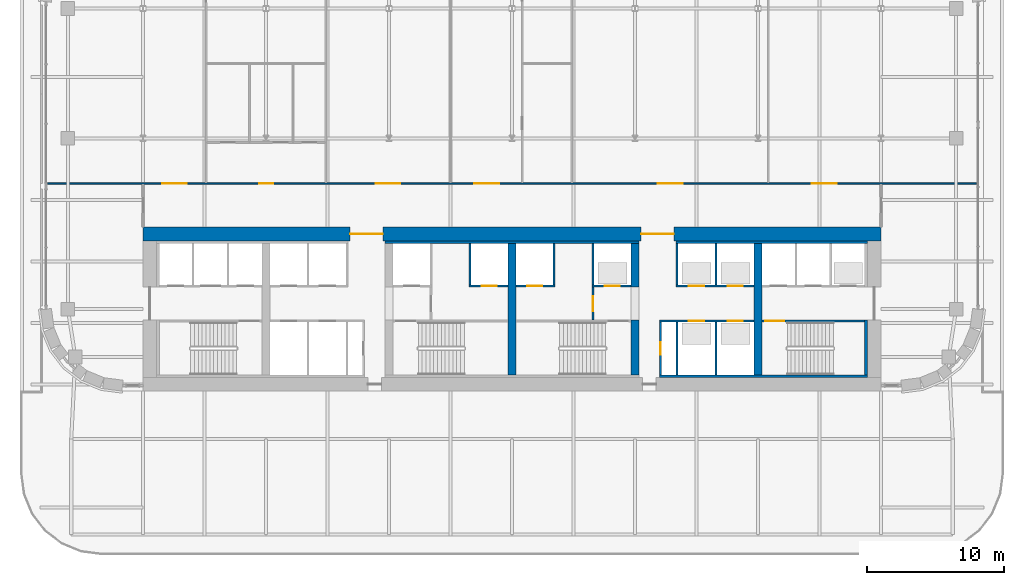
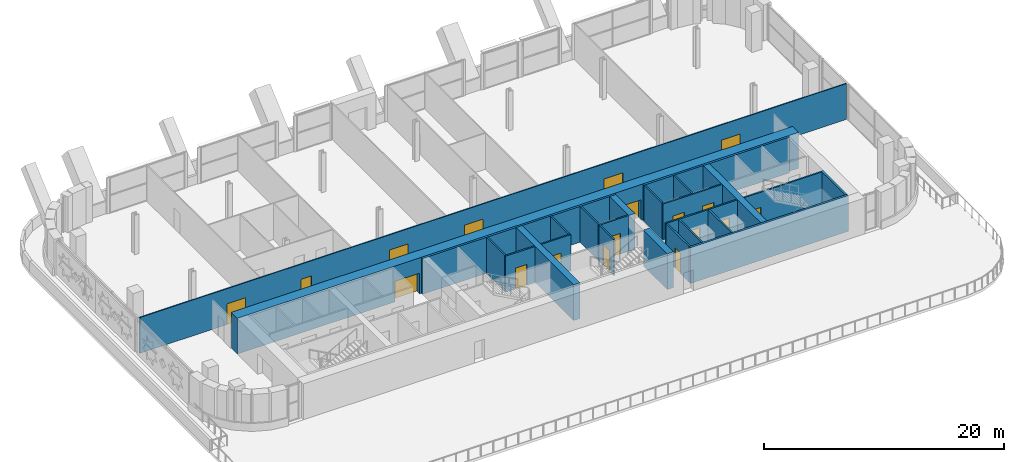
# One storey, part 16 of 26: 25 walls, 18 doors, 18 openings.
"""IFC4 building model written with IfcOpenShell, lengths in metres."""

from ifc_helpers import new_model, si_unit, direction, frame, frame_2d, origin, place, context, subcontext, project, spatial, rectangle, extrude, material, layer, layer_set, type_object, element, fill, save


model = new_model("IFC4")

# Units and contexts
model_context = context("Model", 3, precision=1e-05, world=origin(), true_north=direction((0.0, 1.0)))
body_context = subcontext(model_context, "Body", "Model", "MODEL_VIEW")
ifc_project = project(units=[si_unit("LENGTHUNIT", "METRE"), si_unit("AREAUNIT", "SQUARE_METRE"), si_unit("VOLUMEUNIT", "CUBIC_METRE"), si_unit("PLANEANGLEUNIT", "RADIAN"), si_unit("MASSUNIT", "GRAM", prefix="KILO")], contexts=[model_context])

# Site, building, storey
site_placement = place(None, origin())
site = spatial("IfcSite", under=ifc_project, at=site_placement, CompositionType="ELEMENT")
building_placement = place(site_placement, origin())
building = spatial("IfcBuilding", under=site, at=building_placement, Name="Zellij Exchange Tower", CompositionType="ELEMENT")
storey_placement = place(building_placement, frame((0.0, 0.0, 156.5)))
storey = spatial("IfcBuildingStorey", under=building, at=storey_placement, Name="L35", CompositionType="ELEMENT", Elevation=156.5)

# Walls
ifc_material_1 = material(Name="Concrete C70/85", Category="concrete")
ifc_layer_1 = layer(ifc_material_1, 0.60009765625)
ifc_layer_set_1 = layer_set([ifc_layer_1], Name="Concrete C70/85")
wall_type_1 = type_object("IfcWallType", Name="CORE-CW 600 C70/85", PredefinedType="SHEAR", material=ifc_layer_set_1)
wall_1_placement = place(storey_placement, frame((0.0, -12.800048828125, 0.0), z_axis=(0.0, 0.0, 1.0), x_axis=(0.0, 1.0, 0.0)))
element("IfcWall", 1, at=wall_1_placement, inside=storey, type_object=wall_type_1, Name="Core cross wall x 0 L35", PredefinedType="SHEAR", context=body_context, shape_type="SweptSolid", body=[
    extrude(rectangle(XDim=9.60009765625, YDim=0.60009765625, at=frame_2d((4.800048828125, 0.0))), origin(), (0.0, 0.0, 1.0), 3.64990234375),
])
wall_2_placement = place(storey_placement, frame((9.0, -12.800048828125, 0.0), z_axis=(0.0, 0.0, 1.0), x_axis=(0.0, 1.0, 0.0)))
element("IfcWall", 2, at=wall_2_placement, inside=storey, type_object=wall_type_1, Name="Core cross wall pier x 9 a L35", PredefinedType="SHEAR", context=body_context, shape_type="SweptSolid", body=[
    extrude(rectangle(XDim=4.0, YDim=0.60009765625, at=frame_2d((2.0, 0.0))), origin(), (0.0, 0.0, 1.0), 3.64990234375),
])
wall_3_placement = place(storey_placement, frame((9.0, -6.375, 0.0), z_axis=(0.0, 0.0, 1.0), x_axis=(0.0, 1.0, 0.0)))
element("IfcWall", 3, at=wall_3_placement, inside=storey, type_object=wall_type_1, Name="Core cross wall pier x 9 b L35", PredefinedType="SHEAR", context=body_context, shape_type="SweptSolid", body=[
    extrude(rectangle(XDim=3.175048828125, YDim=0.60009765625, at=frame_2d((1.58740234375, 0.0))), origin(), (0.0, 0.0, 1.0), 3.64990234375),
])
wall_4_placement = place(storey_placement, frame((18.0, -12.800048828125, 0.0), z_axis=(0.0, 0.0, 1.0), x_axis=(0.0, 1.0, 0.0)))
element("IfcWall", 4, at=wall_4_placement, inside=storey, type_object=wall_type_1, Name="Core cross wall x 18 L35", PredefinedType="SHEAR", context=body_context, shape_type="SweptSolid", body=[
    extrude(rectangle(XDim=9.60009765625, YDim=0.60009765625, at=frame_2d((4.800048828125, 0.0))), origin(), (0.0, 0.0, 1.0), 3.64990234375),
])
ifc_material_2 = material(Name="Concrete C30/37", Category="concrete")
ifc_layer_2 = layer(ifc_material_2, 0.199951171875)
ifc_layer_set_2 = layer_set([ifc_layer_2], Name="Concrete C30/37")
wall_type_2 = type_object("IfcWallType", Name="CORE-LW 200 C30/37", PredefinedType="SHEAR", material=ifc_layer_set_2)
wall_5_placement = place(storey_placement, frame((-9.300048828125, -3.10009765625, 0.0), z_axis=(0.0, 0.0, 1.0), x_axis=(1.0, 0.0, 0.0)))
element("IfcWall", 5, at=wall_5_placement, inside=storey, type_object=wall_type_2, Name="Core wall lining front.1 L35", PredefinedType="SHEAR", context=body_context, shape_type="SweptSolid", body=[
    extrude(rectangle(XDim=18.60009765625, YDim=0.199951171875, at=frame_2d((9.300048828125, 0.0))), origin(), (0.0, 0.0, 1.0), 3.64990234375),
])
wall_6_placement = place(storey_placement, frame((12.0, -3.10009765625, 0.0), z_axis=(0.0, 0.0, 1.0), x_axis=(1.0, 0.0, 0.0)))
element("IfcWall", 6, at=wall_6_placement, inside=storey, type_object=wall_type_2, Name="Core wall lining front.2 L35", PredefinedType="SHEAR", context=body_context, shape_type="SweptSolid", body=[
    extrude(rectangle(XDim=14.0, YDim=0.199951171875, at=frame_2d((7.0, 0.0))), origin(), (0.0, 0.0, 1.0), 3.64990234375),
])
wall_7_placement = place(storey_placement, frame((10.800048828125, -12.89990234375, 0.0), z_axis=(0.0, 0.0, 1.0), x_axis=(1.0, 0.0, 0.0)))
element("IfcWall", 7, at=wall_7_placement, inside=storey, type_object=wall_type_2, Name="Core wall lining rear.2 L35", PredefinedType="SHEAR", context=body_context, shape_type="SweptSolid", body=[
    extrude(rectangle(XDim=15.199951171875, YDim=0.199951171875, at=frame_2d((7.60009765625, 0.0))), origin(), (0.0, 0.0, 1.0), 3.64990234375),
])
wall_8_placement = place(storey_placement, frame((25.89990234375, -12.800048828125, 0.0), z_axis=(0.0, 0.0, 1.0), x_axis=(0.0, 1.0, 0.0)))
element("IfcWall", 8, at=wall_8_placement, inside=storey, type_object=wall_type_2, Name="Core wall lining end e.0 L35", PredefinedType="SHEAR", context=body_context, shape_type="SweptSolid", body=[
    extrude(rectangle(XDim=4.0, YDim=0.199951171875, at=frame_2d((2.0, 0.0))), origin(), (0.0, 0.0, 1.0), 3.64990234375),
])

# Wall, opening, door
ifc_material_3 = material(Name="Gypsum shaft wall system")
ifc_layer_3 = layer(ifc_material_3, 0.14990234375)
ifc_layer_set_3 = layer_set([ifc_layer_3], Name="Gypsum shaft wall system")
wall_type_3 = type_object("IfcWallType", Name="CORE-PW 150 Firefighting lobby wall", PredefinedType="PARTITIONING", material=ifc_layer_set_3)
wall_9_placement = place(storey_placement, frame((5.925048828125, -8.800048828125, 0.0), z_axis=(0.0, 0.0, 1.0), x_axis=(0.0, 1.0, 0.0)))
wall_9 = element("IfcWall", 9, at=wall_9_placement, inside=storey, type_object=wall_type_3, Name="Firefighting lobby wall L35", PredefinedType="PARTITIONING", context=body_context, shape_type="SweptSolid", body=[
    extrude(rectangle(XDim=2.425048828125, YDim=0.14990234375, at=frame_2d((1.21240234375, 0.0))), origin(), (0.0, 0.0, 1.0), 3.64990234375),
])
opening_1_placement = place(wall_9_placement, frame((0.662109375, 0.0, 0.0)))
opening_1 = element("IfcOpeningElement", 10, at=opening_1_placement, cuts=wall_9, Name="Opening CA-19.18", PredefinedType="OPENING", context=body_context, shape_type="SweptSolid", body=[
    extrude(rectangle(XDim=1.10009765625, YDim=2.10009765625, at=frame_2d((0.550048828125, 1.050048828125))), frame((0.0, 0.0869140625, 0.0), z_axis=(0.0, -1.0, 0.0), x_axis=(1.0, 0.0, 0.0)), (0.0, 0.0, 1.0), 0.173828125),
])
ifc_material_4 = material(Name="Hollow metal fire door")
door_type_1 = type_object("IfcDoorType", Name="CORE-D F Firefighting lobby door 1100x2100 1 HR", OperationType="NOTDEFINED", PredefinedType="DOOR", material=ifc_material_4)
door_1_placement = place(opening_1_placement, origin())
door_1 = element("IfcDoor", 11, at=door_1_placement, inside=storey, type_object=door_type_1, Name="Firefighting lobby door CA-19.18", OperationType="SINGLE_SWING_RIGHT", OverallHeight=2.10009765625, OverallWidth=1.10009765625, PredefinedType="DOOR", context=body_context, shape_type="SweptSolid", body=[
    extrude(rectangle(XDim=1.10009765625, YDim=2.10009765625, at=frame_2d((0.550048828125, 1.050048828125))), frame((0.0, 0.02490234375, 0.0), z_axis=(0.0, -1.0, 0.0), x_axis=(1.0, 0.0, 0.0)), (0.0, 0.0, 1.0), 0.050048828125),
])
fill(opening_1, door_1)

ifc_material_5 = material(Name="Gypsum board partition")
ifc_layer_4 = layer(ifc_material_5, 0.14990234375)
ifc_layer_set_4 = layer_set([ifc_layer_4], Name="Gypsum board partition")
wall_type_4 = type_object("IfcWallType", Name="CORE-PW 150 Lift lobby wall", PredefinedType="PARTITIONING", material=ifc_layer_set_4)
wall_10_placement = place(storey_placement, frame((10.875, -12.800048828125, 0.0), z_axis=(0.0, 0.0, 1.0), x_axis=(0.0, 1.0, 0.0)))
wall_10 = element("IfcWall", 12, at=wall_10_placement, inside=storey, type_object=wall_type_4, Name="Lift lobby wall L35", PredefinedType="PARTITIONING", context=body_context, shape_type="SweptSolid", body=[
    extrude(rectangle(XDim=3.85009765625, YDim=0.14990234375, at=frame_2d((1.925048828125, 0.0))), origin(), (0.0, 0.0, 1.0), 3.64990234375),
])
opening_2_placement = place(wall_10_placement, frame((1.47509765625, 0.0, 0.0)))
opening_2 = element("IfcOpeningElement", 13, at=opening_2_placement, cuts=wall_10, Name="Opening CA-19.23", PredefinedType="OPENING", context=body_context, shape_type="SweptSolid", body=[
    extrude(rectangle(XDim=0.89990234375, YDim=2.10009765625, at=frame_2d((0.449951171875, 1.050048828125))), frame((0.0, 0.0869140625, 0.0), z_axis=(0.0, -1.0, 0.0), x_axis=(1.0, 0.0, 0.0)), (0.0, 0.0, 1.0), 0.173828125),
])
door_type_2 = type_object("IfcDoorType", Name="CORE-D RD Riser door 900x2100 1.5 HR", OperationType="NOTDEFINED", PredefinedType="DOOR", material=ifc_material_4)
door_2_placement = place(opening_2_placement, origin())
door_2 = element("IfcDoor", 14, at=door_2_placement, inside=storey, type_object=door_type_2, Name="Riser door CA-19.23", OperationType="SINGLE_SWING_LEFT", OverallHeight=2.10009765625, OverallWidth=0.89990234375, PredefinedType="DOOR", context=body_context, shape_type="SweptSolid", body=[
    extrude(rectangle(XDim=0.89990234375, YDim=2.10009765625, at=frame_2d((0.449951171875, 1.050048828125))), frame((0.0, 0.02490234375, 0.0), z_axis=(0.0, -1.0, 0.0), x_axis=(1.0, 0.0, 0.0)), (0.0, 0.0, 1.0), 0.050048828125),
])
fill(opening_2, door_2)

# Walls
ifc_layer_5 = layer(ifc_material_3, 0.14990234375)
ifc_layer_set_5 = layer_set([ifc_layer_5], Name="Gypsum shaft wall system")
wall_type_5 = type_object("IfcWallType", Name="CORE-PW 150 Lift shaft wall", PredefinedType="PARTITIONING", material=ifc_layer_set_5)
for number, where, z_axis, x_axis, name in (
    (15, (-3.074951171875, -6.22509765625, 0.0), (0.0, 0.0, 1.0), (0.0, 1.0, 0.0), "Lift shaft wall L35"),
    (16, (3.074951171875, -6.22509765625, 0.0), (0.0, 0.0, 1.0), (0.0, 1.0, 0.0), "Lift shaft wall L35"),
    (17, (5.925048828125, -6.22509765625, 0.0), (0.0, 0.0, 1.0), (0.0, 1.0, 0.0), "Lift shaft wall L35"),
    (18, (12.074951171875, -6.22509765625, 0.0), (0.0, 0.0, 1.0), (0.0, 1.0, 0.0), "Lift shaft wall L35"),
    (19, (14.925048828125, -6.22509765625, 0.0), (0.0, 0.0, 1.0), (0.0, 1.0, 0.0), "Lift shaft wall L35"),
):
    element("IfcWall", number, at=place(storey_placement, frame(where, z_axis=z_axis, x_axis=x_axis)), inside=storey, type_object=wall_type_5, Name=name, PredefinedType="PARTITIONING", context=body_context, shape_type="SweptSolid", body=[
        extrude(rectangle(XDim=3.025146484375, YDim=0.14990234375, at=frame_2d((1.5126953125, 0.0))), origin(), (0.0, 0.0, 1.0), 3.64990234375),
    ])
for number, where, z_axis, x_axis, name in (
    (20, (12.074951171875, -12.800048828125, 0.0), (0.0, 0.0, 1.0), (0.0, 1.0, 0.0), "Lift shaft wall L35"),
    (21, (14.925048828125, -12.800048828125, 0.0), (0.0, 0.0, 1.0), (0.0, 1.0, 0.0), "Lift shaft wall L35"),
):
    element("IfcWall", number, at=place(storey_placement, frame(where, z_axis=z_axis, x_axis=x_axis)), inside=storey, type_object=wall_type_5, Name=name, PredefinedType="PARTITIONING", context=body_context, shape_type="SweptSolid", body=[
        extrude(rectangle(XDim=3.85009765625, YDim=0.14990234375, at=frame_2d((1.925048828125, 0.0))), origin(), (0.0, 0.0, 1.0), 3.64990234375),
    ])

# Wall, opening, door
wall_11_placement = place(storey_placement, frame((-3.14990234375, -6.300048828125, 0.0), z_axis=(0.0, 0.0, 1.0), x_axis=(1.0, 0.0, 0.0)))
wall_11 = element("IfcWall", 22, at=wall_11_placement, inside=storey, type_object=wall_type_5, Name="Lift shaft wall L35", PredefinedType="PARTITIONING", context=body_context, shape_type="SweptSolid", body=[
    extrude(rectangle(XDim=2.849853515625, YDim=0.14990234375, at=frame_2d((1.4248046875, 0.0))), origin(), (0.0, 0.0, 1.0), 3.64990234375),
])
opening_3_placement = place(wall_11_placement, frame((0.949951171875, 0.0, 0.0)))
opening_3 = element("IfcOpeningElement", 23, at=opening_3_placement, cuts=wall_11, Name="Opening CA-19.16", PredefinedType="OPENING", context=body_context, shape_type="SweptSolid", body=[
    extrude(rectangle(XDim=1.10009765625, YDim=2.10009765625, at=frame_2d((0.550048828125, 1.050048828125))), frame((0.0, 0.0869140625, 0.0), z_axis=(0.0, -1.0, 0.0), x_axis=(1.0, 0.0, 0.0)), (0.0, 0.0, 1.0), 0.173828125),
])
door_type_3 = type_object("IfcDoorType", Name="CORE-D LD Lift landing door 1100x2100 1.5 HR", OperationType="NOTDEFINED", PredefinedType="DOOR", material=ifc_material_4)
door_3_placement = place(opening_3_placement, origin())
door_3 = element("IfcDoor", 24, at=door_3_placement, inside=storey, type_object=door_type_3, Name="Lift landing door CA-19.16", OperationType="SLIDING_TO_RIGHT", OverallHeight=2.10009765625, OverallWidth=1.10009765625, PredefinedType="DOOR", context=body_context, shape_type="SweptSolid", body=[
    extrude(rectangle(XDim=1.10009765625, YDim=2.10009765625, at=frame_2d((0.550048828125, 1.050048828125))), frame((0.0, 0.02490234375, 0.0), z_axis=(0.0, -1.0, 0.0), x_axis=(1.0, 0.0, 0.0)), (0.0, 0.0, 1.0), 0.050048828125),
])
fill(opening_3, door_3)

wall_12_placement = place(storey_placement, frame((0.300048828125, -6.300048828125, 0.0), z_axis=(0.0, 0.0, 1.0), x_axis=(1.0, 0.0, 0.0)))
wall_12 = element("IfcWall", 25, at=wall_12_placement, inside=storey, type_object=wall_type_5, Name="Lift shaft wall L35", PredefinedType="PARTITIONING", context=body_context, shape_type="SweptSolid", body=[
    extrude(rectangle(XDim=2.849853515625, YDim=0.14990234375, at=frame_2d((1.4248046875, 0.0))), origin(), (0.0, 0.0, 1.0), 3.64990234375),
])
opening_4_placement = place(wall_12_placement, frame((0.800048828125, 0.0, 0.0)))
opening_4 = element("IfcOpeningElement", 26, at=opening_4_placement, cuts=wall_12, Name="Opening CA-19.17", PredefinedType="OPENING", context=body_context, shape_type="SweptSolid", body=[
    extrude(rectangle(XDim=1.10009765625, YDim=2.10009765625, at=frame_2d((0.550048828125, 1.050048828125))), frame((0.0, 0.0869140625, 0.0), z_axis=(0.0, -1.0, 0.0), x_axis=(1.0, 0.0, 0.0)), (0.0, 0.0, 1.0), 0.173828125),
])
door_4_placement = place(opening_4_placement, origin())
door_4 = element("IfcDoor", 27, at=door_4_placement, inside=storey, type_object=door_type_3, Name="Lift landing door CA-19.17", OperationType="SLIDING_TO_LEFT", OverallHeight=2.10009765625, OverallWidth=1.10009765625, PredefinedType="DOOR", context=body_context, shape_type="SweptSolid", body=[
    extrude(rectangle(XDim=1.10009765625, YDim=2.10009765625, at=frame_2d((0.550048828125, 1.050048828125))), frame((0.0, 0.02490234375, 0.0), z_axis=(0.0, -1.0, 0.0), x_axis=(1.0, 0.0, 0.0)), (0.0, 0.0, 1.0), 0.050048828125),
])
fill(opening_4, door_4)

wall_13_placement = place(storey_placement, frame((5.85009765625, -6.300048828125, 0.0), z_axis=(0.0, 0.0, 1.0), x_axis=(1.0, 0.0, 0.0)))
wall_13 = element("IfcWall", 28, at=wall_13_placement, inside=storey, type_object=wall_type_5, Name="Lift shaft wall L35", PredefinedType="PARTITIONING", context=body_context, shape_type="SweptSolid", body=[
    extrude(rectangle(XDim=2.849853515625, YDim=0.14990234375, at=frame_2d((1.4248046875, 0.0))), origin(), (0.0, 0.0, 1.0), 3.64990234375),
])
opening_5_placement = place(wall_13_placement, frame((0.949951171875, 0.0, 0.0)))
opening_5 = element("IfcOpeningElement", 29, at=opening_5_placement, cuts=wall_13, Name="Opening CA-19.19", PredefinedType="OPENING", context=body_context, shape_type="SweptSolid", body=[
    extrude(rectangle(XDim=1.10009765625, YDim=2.10009765625, at=frame_2d((0.550048828125, 1.050048828125))), frame((0.0, 0.0869140625, 0.0), z_axis=(0.0, -1.0, 0.0), x_axis=(1.0, 0.0, 0.0)), (0.0, 0.0, 1.0), 0.173828125),
])
door_5_placement = place(opening_5_placement, origin())
door_5 = element("IfcDoor", 30, at=door_5_placement, inside=storey, type_object=door_type_3, Name="Lift landing door CA-19.19", OperationType="SLIDING_TO_LEFT", OverallHeight=2.10009765625, OverallWidth=1.10009765625, PredefinedType="DOOR", context=body_context, shape_type="SweptSolid", body=[
    extrude(rectangle(XDim=1.10009765625, YDim=2.10009765625, at=frame_2d((0.550048828125, 1.050048828125))), frame((0.0, 0.02490234375, 0.0), z_axis=(0.0, -1.0, 0.0), x_axis=(1.0, 0.0, 0.0)), (0.0, 0.0, 1.0), 0.050048828125),
])
fill(opening_5, door_5)

# Wall, openings, doors
wall_14_placement = place(storey_placement, frame((12.0, -6.300048828125, 0.0), z_axis=(0.0, 0.0, 1.0), x_axis=(1.0, 0.0, 0.0)))
wall_14 = element("IfcWall", 31, at=wall_14_placement, inside=storey, type_object=wall_type_5, Name="Lift shaft wall L35", PredefinedType="PARTITIONING", context=body_context, shape_type="SweptSolid", body=[
    extrude(rectangle(XDim=5.699951171875, YDim=0.14990234375, at=frame_2d((2.85009765625, 0.0))), origin(), (0.0, 0.0, 1.0), 3.64990234375),
])
opening_6_placement = place(wall_14_placement, frame((0.949951171875, 0.0, 0.0)))
opening_6 = element("IfcOpeningElement", 32, at=opening_6_placement, cuts=wall_14, Name="Opening CA-19.25", PredefinedType="OPENING", context=body_context, shape_type="SweptSolid", body=[
    extrude(rectangle(XDim=1.10009765625, YDim=2.10009765625, at=frame_2d((0.550048828125, 1.050048828125))), frame((0.0, 0.0869140625, 0.0), z_axis=(0.0, -1.0, 0.0), x_axis=(1.0, 0.0, 0.0)), (0.0, 0.0, 1.0), 0.173828125),
])
opening_7_placement = place(wall_14_placement, frame((3.800048828125, 0.0, 0.0)))
opening_7 = element("IfcOpeningElement", 33, at=opening_7_placement, cuts=wall_14, Name="Opening CA-19.27", PredefinedType="OPENING", context=body_context, shape_type="SweptSolid", body=[
    extrude(rectangle(XDim=1.10009765625, YDim=2.10009765625, at=frame_2d((0.550048828125, 1.050048828125))), frame((0.0, 0.0869140625, 0.0), z_axis=(0.0, -1.0, 0.0), x_axis=(1.0, 0.0, 0.0)), (0.0, 0.0, 1.0), 0.173828125),
])
door_6_placement = place(opening_6_placement, origin())
door_6 = element("IfcDoor", 34, at=door_6_placement, inside=storey, type_object=door_type_3, Name="Lift landing door CA-19.25", OperationType="SLIDING_TO_LEFT", OverallHeight=2.10009765625, OverallWidth=1.10009765625, PredefinedType="DOOR", context=body_context, shape_type="SweptSolid", body=[
    extrude(rectangle(XDim=1.10009765625, YDim=2.10009765625, at=frame_2d((0.550048828125, 1.050048828125))), frame((0.0, 0.02490234375, 0.0), z_axis=(0.0, -1.0, 0.0), x_axis=(1.0, 0.0, 0.0)), (0.0, 0.0, 1.0), 0.050048828125),
])
fill(opening_6, door_6)
door_7_placement = place(opening_7_placement, origin())
door_7 = element("IfcDoor", 35, at=door_7_placement, inside=storey, type_object=door_type_3, Name="Lift landing door CA-19.27", OperationType="SLIDING_TO_LEFT", OverallHeight=2.10009765625, OverallWidth=1.10009765625, PredefinedType="DOOR", context=body_context, shape_type="SweptSolid", body=[
    extrude(rectangle(XDim=1.10009765625, YDim=2.10009765625, at=frame_2d((0.550048828125, 1.050048828125))), frame((0.0, 0.02490234375, 0.0), z_axis=(0.0, -1.0, 0.0), x_axis=(1.0, 0.0, 0.0)), (0.0, 0.0, 1.0), 0.050048828125),
])
fill(opening_7, door_7)

wall_15_placement = place(storey_placement, frame((10.800048828125, -8.875, 0.0), z_axis=(0.0, 0.0, 1.0), x_axis=(1.0, 0.0, 0.0)))
wall_15 = element("IfcWall", 36, at=wall_15_placement, inside=storey, type_object=wall_type_5, Name="Lift shaft wall L35", PredefinedType="PARTITIONING", context=body_context, shape_type="SweptSolid", body=[
    extrude(rectangle(XDim=6.89990234375, YDim=0.14990234375, at=frame_2d((3.449951171875, 0.0))), origin(), (0.0, 0.0, 1.0), 3.64990234375),
])
opening_8_placement = place(wall_15_placement, frame((2.14990234375, 0.0, 0.0)))
opening_8 = element("IfcOpeningElement", 37, at=opening_8_placement, cuts=wall_15, Name="Opening CA-19.24", PredefinedType="OPENING", context=body_context, shape_type="SweptSolid", body=[
    extrude(rectangle(XDim=1.10009765625, YDim=2.10009765625, at=frame_2d((0.550048828125, 1.050048828125))), frame((0.0, 0.0869140625, 0.0), z_axis=(0.0, -1.0, 0.0), x_axis=(1.0, 0.0, 0.0)), (0.0, 0.0, 1.0), 0.173828125),
])
opening_9_placement = place(wall_15_placement, frame((5.0, 0.0, 0.0)))
opening_9 = element("IfcOpeningElement", 38, at=opening_9_placement, cuts=wall_15, Name="Opening CA-19.26", PredefinedType="OPENING", context=body_context, shape_type="SweptSolid", body=[
    extrude(rectangle(XDim=1.10009765625, YDim=2.10009765625, at=frame_2d((0.550048828125, 1.050048828125))), frame((0.0, 0.0869140625, 0.0), z_axis=(0.0, -1.0, 0.0), x_axis=(1.0, 0.0, 0.0)), (0.0, 0.0, 1.0), 0.173828125),
])
door_8_placement = place(opening_8_placement, origin())
door_8 = element("IfcDoor", 39, at=door_8_placement, inside=storey, type_object=door_type_3, Name="Lift landing door CA-19.24", OperationType="SLIDING_TO_RIGHT", OverallHeight=2.10009765625, OverallWidth=1.10009765625, PredefinedType="DOOR", context=body_context, shape_type="SweptSolid", body=[
    extrude(rectangle(XDim=1.10009765625, YDim=2.10009765625, at=frame_2d((0.550048828125, 1.050048828125))), frame((0.0, 0.02490234375, 0.0), z_axis=(0.0, -1.0, 0.0), x_axis=(1.0, 0.0, 0.0)), (0.0, 0.0, 1.0), 0.050048828125),
])
fill(opening_8, door_8)
door_9_placement = place(opening_9_placement, origin())
door_9 = element("IfcDoor", 40, at=door_9_placement, inside=storey, type_object=door_type_3, Name="Lift landing door CA-19.26", OperationType="SLIDING_TO_RIGHT", OverallHeight=2.10009765625, OverallWidth=1.10009765625, PredefinedType="DOOR", context=body_context, shape_type="SweptSolid", body=[
    extrude(rectangle(XDim=1.10009765625, YDim=2.10009765625, at=frame_2d((0.550048828125, 1.050048828125))), frame((0.0, 0.02490234375, 0.0), z_axis=(0.0, -1.0, 0.0), x_axis=(1.0, 0.0, 0.0)), (0.0, 0.0, 1.0), 0.050048828125),
])
fill(opening_9, door_9)

ifc_layer_6 = layer(ifc_material_1, 1.0)
ifc_layer_set_6 = layer_set([ifc_layer_6], Name="Concrete C70/85")
wall_type_6 = type_object("IfcWallType", Name="CORE-SW 1000 C70/85", PredefinedType="SHEAR", material=ifc_layer_set_6)
wall_16_placement = place(storey_placement, frame((-27.0, -2.5, 0.0), z_axis=(0.0, 0.0, 1.0), x_axis=(1.0, 0.0, 0.0)))
wall_16 = element("IfcWall", 41, at=wall_16_placement, inside=storey, type_object=wall_type_6, Name="Core shear wall front L35", PredefinedType="SHEAR", context=body_context, shape_type="SweptSolid", body=[
    extrude(rectangle(XDim=54.0, YDim=1.0, at=frame_2d((27.0, 0.0))), origin(), (0.0, 0.0, 1.0), 3.64990234375),
])
opening_10_placement = place(wall_16_placement, frame((15.14990234375, 0.0, 0.0)))
opening_10 = element("IfcOpeningElement", 42, at=opening_10_placement, cuts=wall_16, Name="Opening CA-19.11", PredefinedType="OPENING", context=body_context, shape_type="SweptSolid", body=[
    extrude(rectangle(XDim=2.39990234375, YDim=2.10009765625, at=frame_2d((1.199951171875, 1.050048828125))), frame((0.0, 0.511962890625, 0.0), z_axis=(0.0, -1.0, 0.0), x_axis=(1.0, 0.0, 0.0)), (0.0, 0.0, 1.0), 1.02392578125),
])
opening_11_placement = place(wall_16_placement, frame((36.449951171875, 0.0, 0.0)))
opening_11 = element("IfcOpeningElement", 43, at=opening_11_placement, cuts=wall_16, Name="Opening CA-19.22", PredefinedType="OPENING", context=body_context, shape_type="SweptSolid", body=[
    extrude(rectangle(XDim=2.39990234375, YDim=2.10009765625, at=frame_2d((1.199951171875, 1.050048828125))), frame((0.0, 0.511962890625, 0.0), z_axis=(0.0, -1.0, 0.0), x_axis=(1.0, 0.0, 0.0)), (0.0, 0.0, 1.0), 1.02392578125),
])
door_type_4 = type_object("IfcDoorType", Name="CORE-D CE Core entrance door 2400x2100 20 MIN", OperationType="NOTDEFINED", PredefinedType="DOOR", material=ifc_material_4)
door_10_placement = place(opening_10_placement, origin())
door_10 = element("IfcDoor", 44, at=door_10_placement, inside=storey, type_object=door_type_4, Name="Core entrance door CA-19.11", OperationType="DOUBLE_DOOR_SINGLE_SWING", OverallHeight=2.10009765625, OverallWidth=2.39990234375, PredefinedType="DOOR", context=body_context, shape_type="SweptSolid", body=[
    extrude(rectangle(XDim=2.39990234375, YDim=2.10009765625, at=frame_2d((1.199951171875, 1.050048828125))), frame((0.0, 0.02490234375, 0.0), z_axis=(0.0, -1.0, 0.0), x_axis=(1.0, 0.0, 0.0)), (0.0, 0.0, 1.0), 0.050048828125),
])
fill(opening_10, door_10)
door_11_placement = place(opening_11_placement, origin())
door_11 = element("IfcDoor", 45, at=door_11_placement, inside=storey, type_object=door_type_4, Name="Core entrance door CA-19.22", OperationType="DOUBLE_DOOR_SINGLE_SWING", OverallHeight=2.10009765625, OverallWidth=2.39990234375, PredefinedType="DOOR", context=body_context, shape_type="SweptSolid", body=[
    extrude(rectangle(XDim=2.39990234375, YDim=2.10009765625, at=frame_2d((1.199951171875, 1.050048828125))), frame((0.0, 0.02490234375, 0.0), z_axis=(0.0, -1.0, 0.0), x_axis=(1.0, 0.0, 0.0)), (0.0, 0.0, 1.0), 0.050048828125),
])
fill(opening_11, door_11)

# Wall, opening, door
ifc_layer_7 = layer(ifc_material_1, 0.14990234375)
ifc_layer_set_7 = layer_set([ifc_layer_7], Name="Concrete C70/85")
wall_type_7 = type_object("IfcWallType", Name="CORE-SWS 150 C70/85", PredefinedType="SHEAR", material=ifc_layer_set_7)
wall_17_placement = place(storey_placement, frame((18.300048828125, -8.875, 0.0), z_axis=(0.0, 0.0, 1.0), x_axis=(1.0, 0.0, 0.0)))
wall_17 = element("IfcWall", 46, at=wall_17_placement, inside=storey, type_object=wall_type_7, Name="Stair enclosure wall L35", PredefinedType="SHEAR", context=body_context, shape_type="SweptSolid", body=[
    extrude(rectangle(XDim=7.5, YDim=0.14990234375, at=frame_2d((3.75, 0.0))), origin(), (0.0, 0.0, 1.0), 3.64990234375),
])
opening_12_placement = place(wall_17_placement, frame((0.22509765625, 0.0, 0.0)))
opening_12 = element("IfcOpeningElement", 47, at=opening_12_placement, cuts=wall_17, Name="Opening CA-19.28", PredefinedType="OPENING", context=body_context, shape_type="SweptSolid", body=[
    extrude(rectangle(XDim=1.39990234375, YDim=2.10009765625, at=frame_2d((0.699951171875, 1.050048828125))), frame((0.0, 0.0869140625, 0.0), z_axis=(0.0, -1.0, 0.0), x_axis=(1.0, 0.0, 0.0)), (0.0, 0.0, 1.0), 0.173828125),
])
door_type_5 = type_object("IfcDoorType", Name="CORE-D SD Stair door 1400x2100 1.5 HR", OperationType="NOTDEFINED", PredefinedType="DOOR", material=ifc_material_4)
door_12_placement = place(opening_12_placement, origin())
door_12 = element("IfcDoor", 48, at=door_12_placement, inside=storey, type_object=door_type_5, Name="Stair door CA-19.28", OperationType="DOUBLE_DOOR_SINGLE_SWING", OverallHeight=2.10009765625, OverallWidth=1.39990234375, PredefinedType="DOOR", context=body_context, shape_type="SweptSolid", body=[
    extrude(rectangle(XDim=1.39990234375, YDim=2.10009765625, at=frame_2d((0.699951171875, 1.050048828125))), frame((0.0, 0.02490234375, 0.0), z_axis=(0.0, -1.0, 0.0), x_axis=(1.0, 0.0, 0.0)), (0.0, 0.0, 1.0), 0.050048828125),
])
fill(opening_12, door_12)

# Wall, openings, doors
ifc_material_6 = material(Name="Gypsum board partition on steel studs", Category="steel")
ifc_layer_8 = layer(ifc_material_6, 0.10009765625)
ifc_layer_set_8 = layer_set([ifc_layer_8], Name="Gypsum board partition on steel studs")
wall_type_8 = type_object("IfcWallType", Name="FIT-PARTITION-100", PredefinedType="PARTITIONING", material=ifc_layer_set_8)
wall_18_placement = place(storey_placement, frame((-33.97998046875, 1.199951171875, 0.0), z_axis=(0.0, 0.0, 1.0), x_axis=(1.0, 0.0, 0.0)))
wall_18 = element("IfcWall", 49, at=wall_18_placement, inside=storey, type_object=wall_type_8, Name="FIT-PARTITION-100 003", PredefinedType="PARTITIONING", context=body_context, shape_type="SweptSolid", body=[
    extrude(rectangle(XDim=67.97607421875, YDim=0.10009765625, at=frame_2d((33.988037109375, 0.0))), origin(), (0.0, 0.0, 1.0), 3.64990234375),
])
opening_13_placement = place(wall_18_placement, frame((8.3798828125, 0.0, 0.0)))
opening_13 = element("IfcOpeningElement", 50, at=opening_13_placement, cuts=wall_18, Name="Opening SL2.03", PredefinedType="OPENING", context=body_context, shape_type="SweptSolid", body=[
    extrude(rectangle(XDim=1.800048828125, YDim=2.10009765625, at=frame_2d((0.89990234375, 1.050048828125))), frame((0.0, 0.06201171875, 0.0), z_axis=(0.0, -1.0, 0.0), x_axis=(1.0, 0.0, 0.0)), (0.0, 0.0, 1.0), 0.1240234375),
])
opening_14_placement = place(wall_18_placement, frame((15.5, 0.0, 0.0)))
opening_14 = element("IfcOpeningElement", 51, at=opening_14_placement, cuts=wall_18, Name="Opening SL2.04", PredefinedType="OPENING", context=body_context, shape_type="SweptSolid", body=[
    extrude(rectangle(XDim=1.0, YDim=2.10009765625, at=frame_2d((0.5, 1.050048828125))), frame((0.0, 0.06201171875, 0.0), z_axis=(0.0, -1.0, 0.0), x_axis=(1.0, 0.0, 0.0)), (0.0, 0.0, 1.0), 0.1240234375),
])
opening_15_placement = place(wall_18_placement, frame((24.010009765625, 0.0, 0.0)))
opening_15 = element("IfcOpeningElement", 52, at=opening_15_placement, cuts=wall_18, Name="Opening SL2.05", PredefinedType="OPENING", context=body_context, shape_type="SweptSolid", body=[
    extrude(rectangle(XDim=1.800048828125, YDim=2.10009765625, at=frame_2d((0.89990234375, 1.050048828125))), frame((0.0, 0.06201171875, 0.0), z_axis=(0.0, -1.0, 0.0), x_axis=(1.0, 0.0, 0.0)), (0.0, 0.0, 1.0), 0.1240234375),
])
opening_16_placement = place(wall_18_placement, frame((31.22998046875, 0.0, 0.0)))
opening_16 = element("IfcOpeningElement", 53, at=opening_16_placement, cuts=wall_18, Name="Opening SL2.06", PredefinedType="OPENING", context=body_context, shape_type="SweptSolid", body=[
    extrude(rectangle(XDim=1.800048828125, YDim=2.10009765625, at=frame_2d((0.89990234375, 1.050048828125))), frame((0.0, 0.06201171875, 0.0), z_axis=(0.0, -1.0, 0.0), x_axis=(1.0, 0.0, 0.0)), (0.0, 0.0, 1.0), 0.1240234375),
])
opening_17_placement = place(wall_18_placement, frame((44.659912109375, 0.0, 0.0)))
opening_17 = element("IfcOpeningElement", 54, at=opening_17_placement, cuts=wall_18, Name="Opening SL2.07", PredefinedType="OPENING", context=body_context, shape_type="SweptSolid", body=[
    extrude(rectangle(XDim=1.800048828125, YDim=2.10009765625, at=frame_2d((0.89990234375, 1.050048828125))), frame((0.0, 0.06201171875, 0.0), z_axis=(0.0, -1.0, 0.0), x_axis=(1.0, 0.0, 0.0)), (0.0, 0.0, 1.0), 0.1240234375),
])
opening_18_placement = place(wall_18_placement, frame((55.929931640625, 0.0, 0.0)))
opening_18 = element("IfcOpeningElement", 55, at=opening_18_placement, cuts=wall_18, Name="Opening SL2.08", PredefinedType="OPENING", context=body_context, shape_type="SweptSolid", body=[
    extrude(rectangle(XDim=1.800048828125, YDim=2.10009765625, at=frame_2d((0.89990234375, 1.050048828125))), frame((0.0, 0.06201171875, 0.0), z_axis=(0.0, -1.0, 0.0), x_axis=(1.0, 0.0, 0.0)), (0.0, 0.0, 1.0), 0.1240234375),
])
ifc_material_7 = material(Name="Timber door set", Category="wood")
door_type_6 = type_object("IfcDoorType", Name="FIT-D2-WIDE-1000X2100", OperationType="SINGLE_SWING_LEFT", PredefinedType="DOOR", material=ifc_material_7)
door_13_placement = place(opening_14_placement, origin())
door_13 = element("IfcDoor", 56, at=door_13_placement, inside=storey, type_object=door_type_6, Name="Door SL2.04", OperationType="SINGLE_SWING_RIGHT", OverallHeight=2.10009765625, OverallWidth=1.0, PredefinedType="DOOR", context=body_context, shape_type="SweptSolid", body=[
    extrude(rectangle(XDim=1.0, YDim=2.10009765625, at=frame_2d((0.5, 1.050048828125))), frame((0.0, 0.02490234375, 0.0), z_axis=(0.0, -1.0, 0.0), x_axis=(1.0, 0.0, 0.0)), (0.0, 0.0, 1.0), 0.050048828125),
])
fill(opening_14, door_13)
door_type_7 = type_object("IfcDoorType", Name="FIT-D3-DOUBLE-1800X2100", OperationType="DOUBLE_DOOR_SINGLE_SWING", PredefinedType="DOOR", material=ifc_material_7)
door_14_placement = place(opening_13_placement, origin())
door_14 = element("IfcDoor", 57, at=door_14_placement, inside=storey, type_object=door_type_7, Name="Door SL2.03", OperationType="DOUBLE_DOOR_SINGLE_SWING", OverallHeight=2.10009765625, OverallWidth=1.800048828125, PredefinedType="DOOR", context=body_context, shape_type="SweptSolid", body=[
    extrude(rectangle(XDim=1.800048828125, YDim=2.10009765625, at=frame_2d((0.89990234375, 1.050048828125))), frame((0.0, 0.02490234375, 0.0), z_axis=(0.0, -1.0, 0.0), x_axis=(1.0, 0.0, 0.0)), (0.0, 0.0, 1.0), 0.050048828125),
])
fill(opening_13, door_14)
door_15_placement = place(opening_15_placement, origin())
door_15 = element("IfcDoor", 58, at=door_15_placement, inside=storey, type_object=door_type_7, Name="Door SL2.05", OperationType="DOUBLE_DOOR_SINGLE_SWING", OverallHeight=2.10009765625, OverallWidth=1.800048828125, PredefinedType="DOOR", context=body_context, shape_type="SweptSolid", body=[
    extrude(rectangle(XDim=1.800048828125, YDim=2.10009765625, at=frame_2d((0.89990234375, 1.050048828125))), frame((0.0, 0.02490234375, 0.0), z_axis=(0.0, -1.0, 0.0), x_axis=(1.0, 0.0, 0.0)), (0.0, 0.0, 1.0), 0.050048828125),
])
fill(opening_15, door_15)
door_16_placement = place(opening_16_placement, origin())
door_16 = element("IfcDoor", 59, at=door_16_placement, inside=storey, type_object=door_type_7, Name="Door SL2.06", OperationType="DOUBLE_DOOR_SINGLE_SWING", OverallHeight=2.10009765625, OverallWidth=1.800048828125, PredefinedType="DOOR", context=body_context, shape_type="SweptSolid", body=[
    extrude(rectangle(XDim=1.800048828125, YDim=2.10009765625, at=frame_2d((0.89990234375, 1.050048828125))), frame((0.0, 0.02490234375, 0.0), z_axis=(0.0, -1.0, 0.0), x_axis=(1.0, 0.0, 0.0)), (0.0, 0.0, 1.0), 0.050048828125),
])
fill(opening_16, door_16)
door_17_placement = place(opening_17_placement, origin())
door_17 = element("IfcDoor", 60, at=door_17_placement, inside=storey, type_object=door_type_7, Name="Door SL2.07", OperationType="DOUBLE_DOOR_SINGLE_SWING", OverallHeight=2.10009765625, OverallWidth=1.800048828125, PredefinedType="DOOR", context=body_context, shape_type="SweptSolid", body=[
    extrude(rectangle(XDim=1.800048828125, YDim=2.10009765625, at=frame_2d((0.89990234375, 1.050048828125))), frame((0.0, 0.02490234375, 0.0), z_axis=(0.0, -1.0, 0.0), x_axis=(1.0, 0.0, 0.0)), (0.0, 0.0, 1.0), 0.050048828125),
])
fill(opening_17, door_17)
door_18_placement = place(opening_18_placement, origin())
door_18 = element("IfcDoor", 61, at=door_18_placement, inside=storey, type_object=door_type_7, Name="Door SL2.08", OperationType="DOUBLE_DOOR_SINGLE_SWING", OverallHeight=2.10009765625, OverallWidth=1.800048828125, PredefinedType="DOOR", context=body_context, shape_type="SweptSolid", body=[
    extrude(rectangle(XDim=1.800048828125, YDim=2.10009765625, at=frame_2d((0.89990234375, 1.050048828125))), frame((0.0, 0.02490234375, 0.0), z_axis=(0.0, -1.0, 0.0), x_axis=(1.0, 0.0, 0.0)), (0.0, 0.0, 1.0), 0.050048828125),
])
fill(opening_18, door_18)

save(model, "model.ifc")
